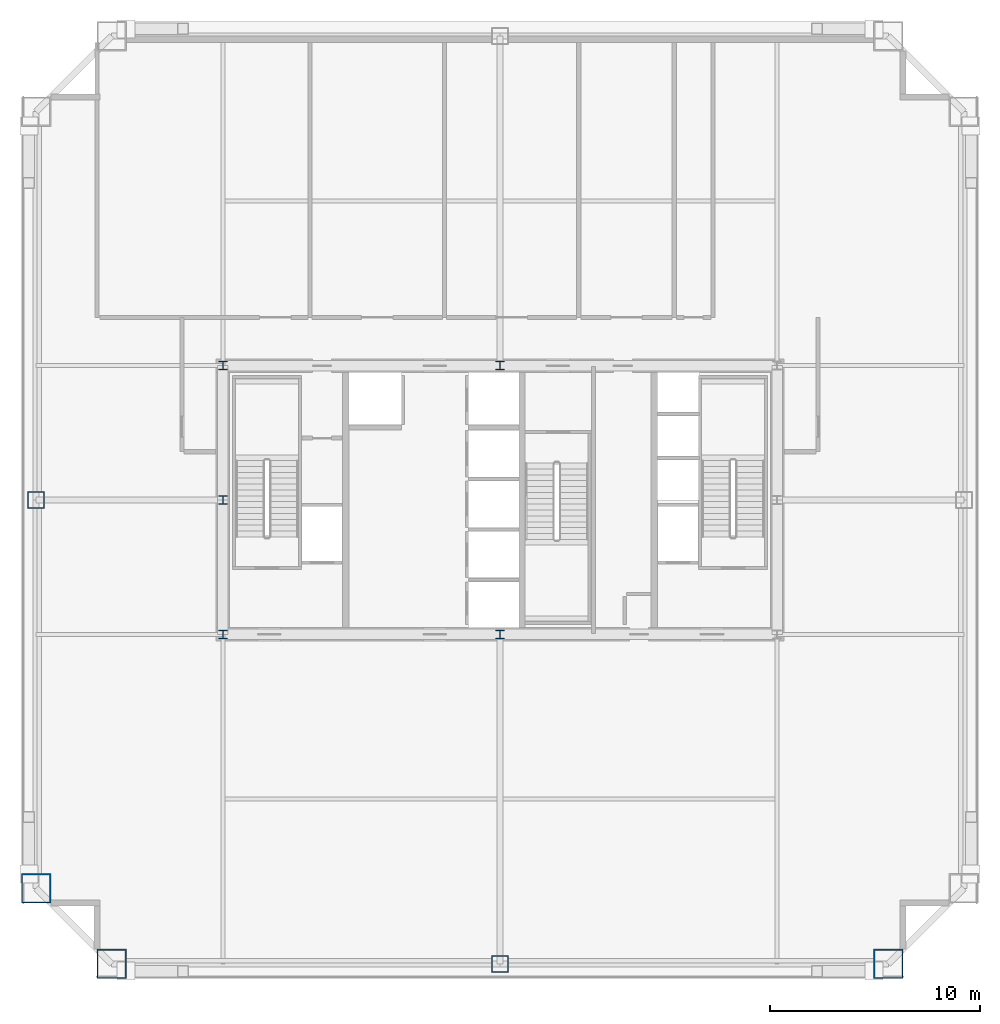
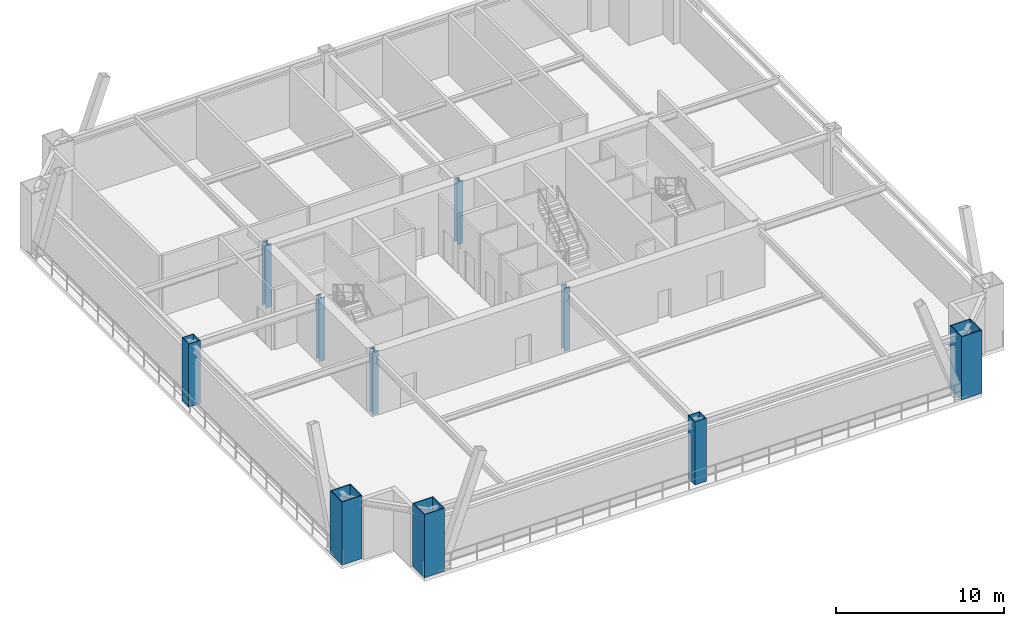
# One storey, part 1 of 9: 10 columns.
"""IFC4 building model written with IfcOpenShell, lengths in metres."""

from ifc_helpers import new_model, si_unit, direction, frame, origin, origin_2d, place, context, subcontext, project, spatial, hollow_rectangle, i_section, extrude, source, transform, mapped, material, material_profile, profile_set, type_object, element, save


model = new_model("IFC4")

# Units and contexts
model_context = context("Model", 3, precision=1e-05, world=origin(), true_north=direction((0.0, 1.0)))
body_context = subcontext(model_context, "Body", "Model", "MODEL_VIEW")
ifc_project = project(units=[si_unit("LENGTHUNIT", "METRE"), si_unit("AREAUNIT", "SQUARE_METRE"), si_unit("VOLUMEUNIT", "CUBIC_METRE"), si_unit("PLANEANGLEUNIT", "RADIAN"), si_unit("MASSUNIT", "GRAM", prefix="KILO"), si_unit("THERMODYNAMICTEMPERATUREUNIT", "KELVIN"), si_unit("POWERUNIT", "WATT")], contexts=[model_context])

# Site, building, storey
site_placement = place(None, origin())
site = spatial("IfcSite", under=ifc_project, at=site_placement, CompositionType="ELEMENT")
building_placement = place(site_placement, origin())
building = spatial("IfcBuilding", under=site, at=building_placement, Name="Yuzanri Waterfront Tower", CompositionType="ELEMENT")
storey_placement = place(building_placement, frame((0.0, 0.0, 176.39990234375)))
storey = spatial("IfcBuildingStorey", under=building, at=storey_placement, Name="L46", CompositionType="ELEMENT", Elevation=176.39990234375)

# Columns
ifc_material_1 = material(Name="Steel Q355B", Category="steel")
ifc_material_profile_1 = material_profile(ifc_material_1, i_section(OverallWidth=0.39990234375, OverallDepth=0.39990234375, WebThickness=0.012939453125, FlangeThickness=0.02099609375, at=origin_2d()), Name="HW 400x400x13x21")
ifc_profile_set_1 = profile_set([ifc_material_profile_1], Name="Steel Q355B")
column_type_1 = type_object("IfcColumnType", Name="Core Post Q355B HW 400x400x13x21", PredefinedType="COLUMN", material=ifc_profile_set_1)
shared_shape_1 = source(origin(), body_context, "Body", "SweptSolid", [
    extrude(i_section(OverallWidth=0.39990234375, OverallDepth=0.39990234375, WebThickness=0.012939453125, FlangeThickness=0.02099609375, at=origin_2d()), origin(), (0.0, 0.0, 1.0), 4.60009765625),
])
for number, where, z_axis, x_axis, name in (
    (1, (23.800048828125, 19.39990234375, 0.0), (0.0, 0.0, 1.0), (1.0, 0.0, 0.0), "L46 Core Boundary Column CP1"),
    (2, (37.0, 19.39990234375, 0.0), (0.0, 0.0, 1.0), (1.0, 0.0, 0.0), "L46 Core Boundary Column CP2"),
    (3, (23.800048828125, 25.800048828125, 0.0), (0.0, 0.0, 1.0), (1.0, 0.0, 0.0), "L46 Core Boundary Column CP4"),
    (4, (23.800048828125, 32.199951171875, 0.0), (0.0, 0.0, 1.0), (1.0, 0.0, 0.0), "L46 Core Boundary Column CP6"),
    (5, (37.0, 32.199951171875, 0.0), (0.0, 0.0, 1.0), (1.0, 0.0, 0.0), "L46 Core Boundary Column CP7"),
):
    element("IfcColumn", number, at=place(storey_placement, frame(where, z_axis=z_axis, x_axis=x_axis)), inside=storey, type_object=column_type_1, Name=name, PredefinedType="COLUMN", context=body_context, shape_type="MappedRepresentation", body=[
        mapped(shared_shape_1, transform((0.0, 0.0, 0.0), scale=1.0)),
    ])
ifc_material_2 = material(Name="Steel Q420GJC", Category="steel")
ifc_material_profile_2 = material_profile(ifc_material_2, hollow_rectangle(XDim=1.39990234375, YDim=1.39990234375, WallThickness=0.06005859375, at=origin_2d()), Name="RHS 1400x1400x60")
ifc_profile_set_2 = profile_set([ifc_material_profile_2], Name="Steel Q420GJC")
column_type_2 = type_object("IfcColumnType", Name="Mega Column Q420GJC RHS 1400x1400x60", PredefinedType="COLUMN", material=ifc_profile_set_2)
shared_shape_2 = source(origin(), body_context, "Body", "SweptSolid", [
    extrude(hollow_rectangle(XDim=1.39990234375, YDim=1.39990234375, WallThickness=0.06005859375, at=origin_2d()), origin(), (0.0, 0.0, 1.0), 4.60009765625),
])
for number, where, z_axis, x_axis, name in (
    (6, (18.5, 3.699951171875, 0.0), (0.0, 0.0, 1.0), (1.0, 0.0, 0.0), "L46 Perimeter Mega Column S1"),
    (7, (55.5, 3.699951171875, 0.0), (0.0, 0.0, 1.0), (1.0, 0.0, 0.0), "L46 Perimeter Mega Column S3"),
    (8, (14.89990234375, 7.300048828125, 0.0), (0.0, 0.0, 1.0), (1.0, 0.0, 0.0), "L46 Perimeter Mega Column W1"),
):
    element("IfcColumn", number, at=place(storey_placement, frame(where, z_axis=z_axis, x_axis=x_axis)), inside=storey, type_object=column_type_2, Name=name, PredefinedType="COLUMN", context=body_context, shape_type="MappedRepresentation", body=[
        mapped(shared_shape_2, transform((0.0, 0.0, 0.0), scale=1.0)),
    ])
ifc_material_3 = material(Name="Steel Q390GJC", Category="steel")
ifc_material_profile_3 = material_profile(ifc_material_3, hollow_rectangle(XDim=0.800048828125, YDim=0.800048828125, WallThickness=0.035888671875, at=origin_2d()), Name="RHS 800x800x36")
ifc_profile_set_3 = profile_set([ifc_material_profile_3], Name="Steel Q390GJC")
column_type_3 = type_object("IfcColumnType", Name="Frame Column Q390GJC RHS 800x800x36", PredefinedType="COLUMN", material=ifc_profile_set_3)
shared_shape_3 = source(origin(), body_context, "Body", "SweptSolid", [
    extrude(hollow_rectangle(XDim=0.800048828125, YDim=0.800048828125, WallThickness=0.035888671875, at=origin_2d()), origin(), (0.0, 0.0, 1.0), 4.60009765625),
])
for number, where, z_axis, x_axis, name in (
    (9, (37.0, 3.699951171875, 0.0), (0.0, 0.0, 1.0), (1.0, 0.0, 0.0), "L46 Perimeter Frame Column S2"),
    (10, (14.89990234375, 25.800048828125, 0.0), (0.0, 0.0, 1.0), (1.0, 0.0, 0.0), "L46 Perimeter Frame Column W2"),
):
    element("IfcColumn", number, at=place(storey_placement, frame(where, z_axis=z_axis, x_axis=x_axis)), inside=storey, type_object=column_type_3, Name=name, PredefinedType="COLUMN", context=body_context, shape_type="MappedRepresentation", body=[
        mapped(shared_shape_3, transform((0.0, 0.0, 0.0), scale=1.0)),
    ])

save(model, "model.ifc")
